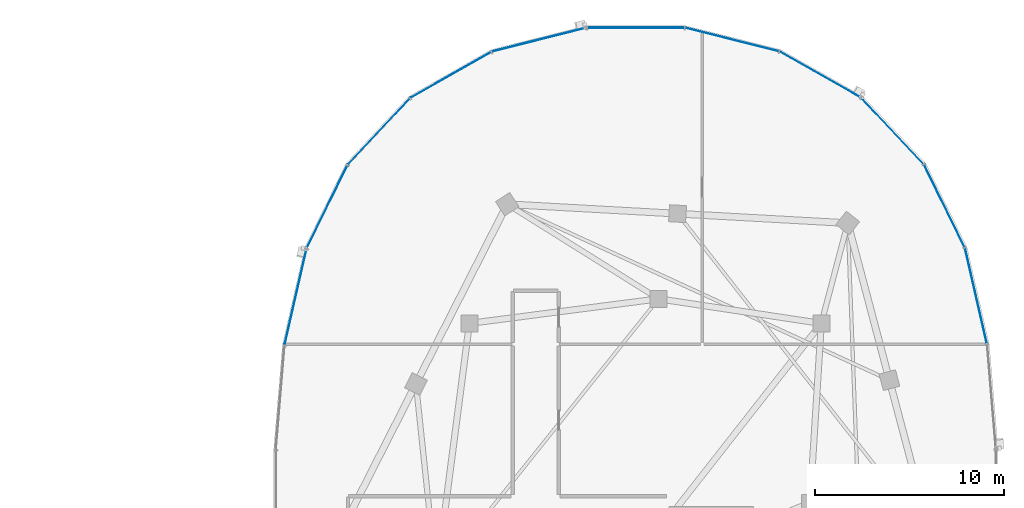
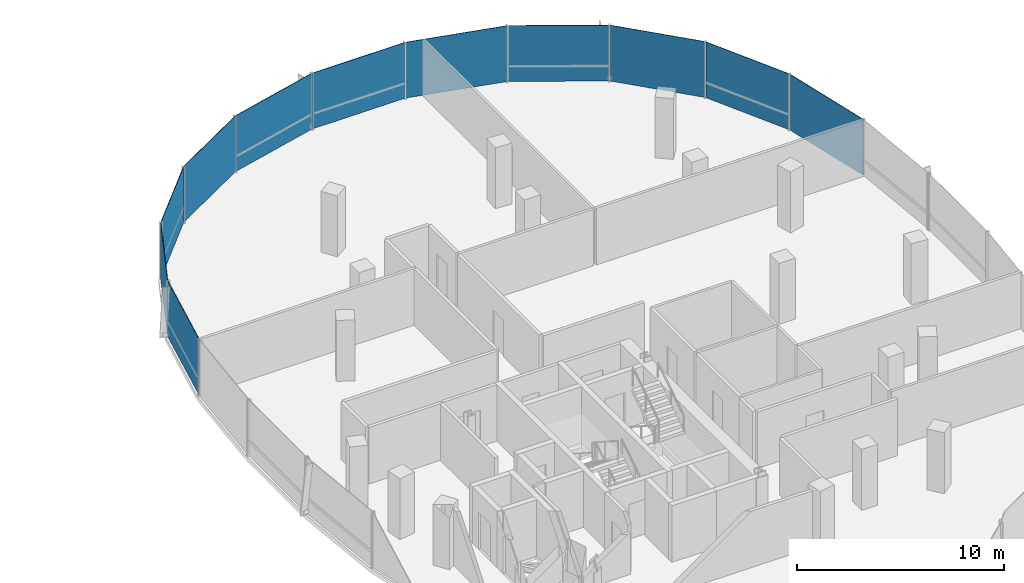
# One storey, part 14 of 25: 11 plates, 2 elements without a shape of their own.
"""IFC4 building model written with IfcOpenShell, lengths in metres."""

from ifc_helpers import new_model, si_unit, direction, frame, origin, origin_2d, place, context, subcontext, project, spatial, rectangle, extrude, material, layer, layer_set, type_object, element, aggregate, save


model = new_model("IFC4")

# Units and contexts
model_context = context("Model", 3, precision=1e-05, world=origin(), true_north=direction((0.0, 1.0)))
body_context = subcontext(model_context, "Body", "Model", "MODEL_VIEW")
ifc_project = project(units=[si_unit("LENGTHUNIT", "METRE"), si_unit("AREAUNIT", "SQUARE_METRE"), si_unit("VOLUMEUNIT", "CUBIC_METRE"), si_unit("PLANEANGLEUNIT", "RADIAN"), si_unit("MASSUNIT", "GRAM", prefix="KILO"), si_unit("THERMODYNAMICTEMPERATUREUNIT", "KELVIN"), si_unit("POWERUNIT", "WATT")], contexts=[model_context])

# Site, building, storey
site_placement = place(None, origin())
site = spatial("IfcSite", under=ifc_project, at=site_placement, CompositionType="ELEMENT")
building_placement = place(site_placement, origin())
building = spatial("IfcBuilding", under=site, at=building_placement, Name="Cundina Bronze Exchange", CompositionType="ELEMENT")
storey_placement = place(building_placement, frame((0.0, 0.0, 202.60009765625)))
storey = spatial("IfcBuildingStorey", under=building, at=storey_placement, Name="L53", CompositionType="ELEMENT", Elevation=202.60009765625)

# Curtain wall, plates
ifc_material_1 = material(Name="Anodised Bronze Aluminium 6063-T6", Category="aluminium")
curtain_wall_type = type_object("IfcCurtainWallType", Name="CWS-UPP-OFF", PredefinedType="NOTDEFINED", material=ifc_material_1)
curtain_wall_1_placement = place(storey_placement, origin())
curtain_wall_1 = element("IfcCurtainWall", 1, at=curtain_wall_1_placement, inside=storey, type_object=curtain_wall_type, Name="L53 CW-05 Curtain Wall Run CWR-L53-E1", PredefinedType="NOTDEFINED")
ifc_material_2 = material(Name="Heat-Strengthened Solar-Control Bronze Safety Glass 28mm", Category="glass")
ifc_layer_1 = layer(ifc_material_2, 0.028076171875, Name="Heat-Strengthened Solar-Control Bronze Safety Glass 28mm", Category="glass")
ifc_layer_set_1 = layer_set([ifc_layer_1], Name="Heat-Strengthened Solar-Control Bronze Safety Glass 28mm")
plate_type_1 = type_object("IfcPlateType", Name="PLT-GLZ-VIS28", PredefinedType="CURTAIN_PANEL", material=ifc_layer_set_1)
plate_1_placement = place(storey_placement, frame((48.314697265625, 15.686767578125, 0.02001953125), z_axis=(0.0, 0.0, 1.0), x_axis=(-0.440503330345, 0.897750976582, 0.0)))
plate_1 = element("IfcPlate", 2, at=plate_1_placement, type_object=plate_type_1, Name="CW-05 Glazed Panel 3", PredefinedType="CURTAIN_PANEL", context=body_context, shape_type="SweptSolid", body=[
    extrude(rectangle(XDim=4.863525390625, YDim=0.028076171875, at=origin_2d()), origin(), (0.0, 0.0, 1.0), 3.300048828125),
])
plate_2_placement = place(storey_placement, frame((45.5791015625, 19.6552734375, 0.02001953125), z_axis=(0.0, 0.0, 1.0), x_axis=(-0.684343512797, 0.72915976061, 0.0)))
plate_2 = element("IfcPlate", 3, at=plate_2_placement, type_object=plate_type_1, Name="CW-05 Glazed Panel 4", PredefinedType="CURTAIN_PANEL", context=body_context, shape_type="SweptSolid", body=[
    extrude(rectangle(XDim=4.773193359375, YDim=0.028076171875, at=origin_2d()), origin(), (0.0, 0.0, 1.0), 3.300048828125),
])
plate_3_placement = place(storey_placement, frame((41.769287109375, 22.64111328125, 0.02001953125), z_axis=(0.0, 0.0, 1.0), x_axis=(-0.869572506985, 0.493805280547, 0.0)))
plate_3 = element("IfcPlate", 4, at=plate_3_placement, type_object=plate_type_1, Name="CW-05 Glazed Panel 5", PredefinedType="CURTAIN_PANEL", context=body_context, shape_type="SweptSolid", body=[
    extrude(rectangle(XDim=4.907958984375, YDim=0.028076171875, at=origin_2d()), origin(), (0.0, 0.0, 1.0), 3.300048828125),
])
plate_4_placement = place(storey_placement, frame((37.11279296875, 24.49609375, 0.02001953125), z_axis=(0.0, 0.0, 1.0), x_axis=(-0.969731542251, 0.244173577528, 0.0)))
plate_4 = element("IfcPlate", 5, at=plate_4_placement, type_object=plate_type_1, Name="CW-05 Glazed Panel 6", PredefinedType="CURTAIN_PANEL", context=body_context, shape_type="SweptSolid", body=[
    extrude(rectangle(XDim=5.0908203125, YDim=0.028076171875, at=origin_2d()), origin(), (0.0, 0.0, 1.0), 3.300048828125),
])

curtain_wall_2_placement = place(storey_placement, origin())
curtain_wall_2 = element("IfcCurtainWall", 6, at=curtain_wall_2_placement, inside=storey, type_object=curtain_wall_type, Name="L53 CW-05 Curtain Wall Run CWR-L53-E2", PredefinedType="NOTDEFINED")
plate_5_placement = place(storey_placement, frame((22.230712890625, 22.64111328125, 0.02001953125), z_axis=(0.0, 0.0, 1.0), x_axis=(-0.869572506985, -0.493805280547, 0.0)))
plate_5 = element("IfcPlate", 7, at=plate_5_placement, type_object=plate_type_1, Name="CW-05 Glazed Panel 2", PredefinedType="CURTAIN_PANEL", context=body_context, shape_type="SweptSolid", body=[
    extrude(rectangle(XDim=4.907958984375, YDim=0.028076171875, at=origin_2d()), origin(), (0.0, 0.0, 1.0), 3.300048828125),
])
plate_6_placement = place(storey_placement, frame((18.4208984375, 19.6552734375, 0.02001953125), z_axis=(0.0, 0.0, 1.0), x_axis=(-0.684343512797, -0.72915976061, 0.0)))
plate_6 = element("IfcPlate", 8, at=plate_6_placement, type_object=plate_type_1, Name="CW-05 Glazed Panel 3", PredefinedType="CURTAIN_PANEL", context=body_context, shape_type="SweptSolid", body=[
    extrude(rectangle(XDim=4.773193359375, YDim=0.028076171875, at=origin_2d()), origin(), (0.0, 0.0, 1.0), 3.300048828125),
])
plate_7_placement = place(storey_placement, frame((15.685302734375, 15.686767578125, 0.02001953125), z_axis=(0.0, 0.0, 1.0), x_axis=(-0.440503330345, -0.897750976582, 0.0)))
plate_7 = element("IfcPlate", 9, at=plate_7_placement, type_object=plate_type_1, Name="CW-05 Glazed Panel 4", PredefinedType="CURTAIN_PANEL", context=body_context, shape_type="SweptSolid", body=[
    extrude(rectangle(XDim=4.863525390625, YDim=0.028076171875, at=origin_2d()), origin(), (0.0, 0.0, 1.0), 3.300048828125),
])
plate_8_placement = place(storey_placement, frame((14.01611328125, 10.92578125, 0.02001953125), z_axis=(0.0, 0.0, 1.0), x_axis=(-0.223284141459, -0.974753400698, 0.0)))
plate_8 = element("IfcPlate", 10, at=plate_8_placement, type_object=plate_type_1, Name="CW-05 Glazed Panel 5", PredefinedType="CURTAIN_PANEL", context=body_context, shape_type="SweptSolid", body=[
    extrude(rectangle(XDim=5.167724609375, YDim=0.028076171875, at=origin_2d()), origin(), (0.0, 0.0, 1.0), 3.300048828125),
])

# Plate
ifc_material_3 = material(Name="Dark Bronze Spandrel Glass Panel 32mm", Category="glass")
ifc_layer_2 = layer(ifc_material_3, 0.031982421875, Name="Dark Bronze Spandrel Glass Panel 32mm", Category="glass")
ifc_layer_set_2 = layer_set([ifc_layer_2], Name="Dark Bronze Spandrel Glass Panel 32mm")
plate_type_2 = type_object("IfcPlateType", Name="PLT-SPN-BRZ32", PredefinedType="CURTAIN_PANEL", material=ifc_layer_set_2)
plate_9_placement = place(storey_placement, frame((49.98388671875, 10.92578125, 0.02001953125), z_axis=(0.0, 0.0, 1.0), x_axis=(-0.223284141459, 0.974753400698, 0.0)))
plate_9 = element("IfcPlate", 11, at=plate_9_placement, type_object=plate_type_2, Name="CW-05 Glazed Panel 2", PredefinedType="CURTAIN_PANEL", context=body_context, shape_type="SweptSolid", body=[
    extrude(rectangle(XDim=5.167724609375, YDim=0.031982421875, at=origin_2d()), origin(), (0.0, 0.0, 1.0), 3.300048828125),
])

plate_10_placement = place(storey_placement, frame((32.0, 25.125, 0.02001953125), z_axis=(0.0, 0.0, 1.0), x_axis=(-1.0, 0.0, 0.0)))
plate_10 = element("IfcPlate", 12, at=plate_10_placement, type_object=plate_type_2, Name="CW-05 Glazed Panel 7", PredefinedType="CURTAIN_PANEL", context=body_context, shape_type="SweptSolid", body=[
    extrude(rectangle(XDim=5.16796875, YDim=0.031982421875, at=origin_2d()), origin(), (0.0, 0.0, 1.0), 3.300048828125),
])

aggregate(curtain_wall_1, [plate_9, plate_1, plate_2, plate_3, plate_4, plate_10])

plate_11_placement = place(storey_placement, frame((26.88720703125, 24.49609375, 0.02001953125), z_axis=(0.0, 0.0, 1.0), x_axis=(-0.969731542251, -0.244173577528, 0.0)))
plate_11 = element("IfcPlate", 13, at=plate_11_placement, type_object=plate_type_2, Name="CW-05 Glazed Panel 1", PredefinedType="CURTAIN_PANEL", context=body_context, shape_type="SweptSolid", body=[
    extrude(rectangle(XDim=5.0908203125, YDim=0.031982421875, at=origin_2d()), origin(), (0.0, 0.0, 1.0), 3.300048828125),
])

aggregate(curtain_wall_2, [plate_11, plate_5, plate_6, plate_7, plate_8])

save(model, "model.ifc")
